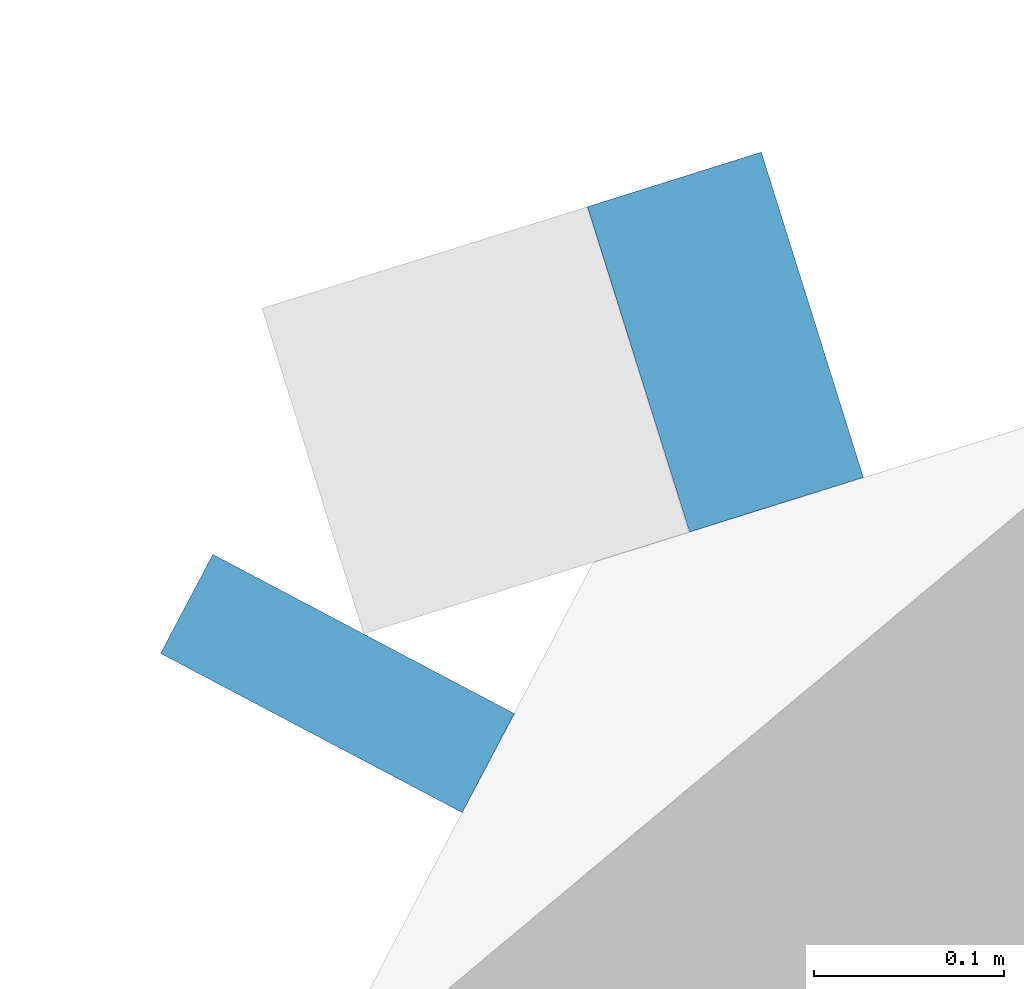
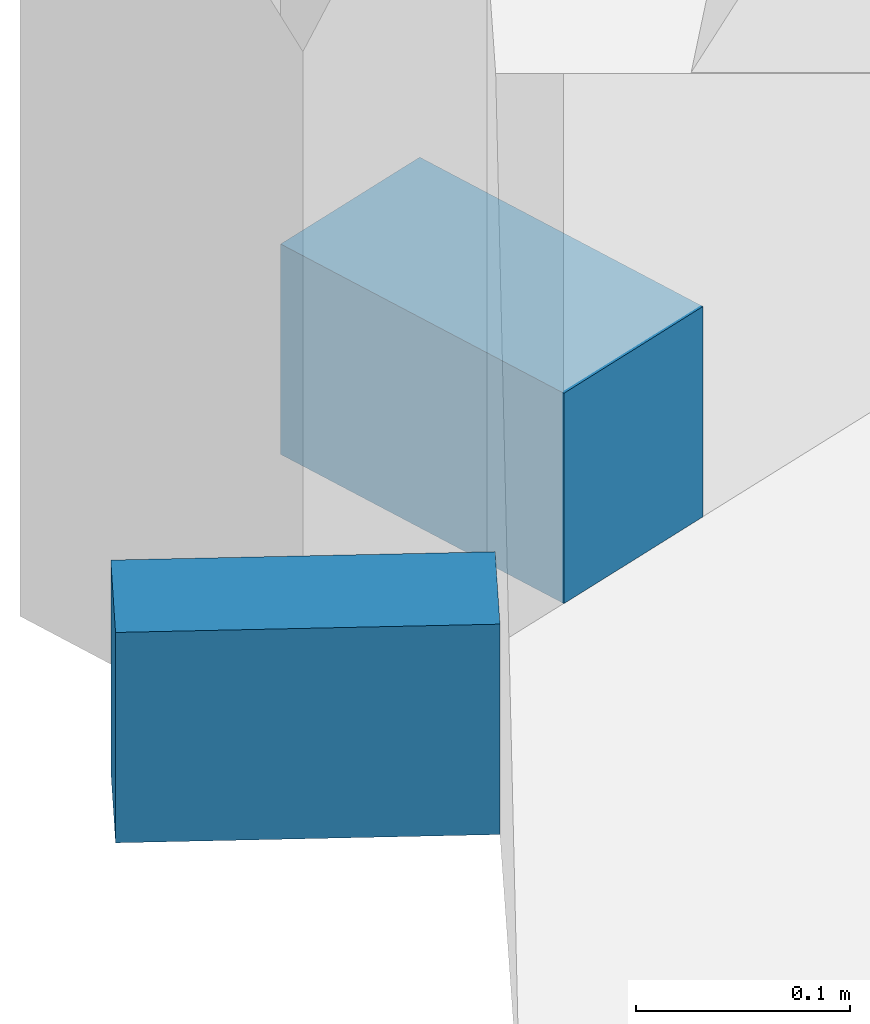
# One storey, part 16 of 24: 2 members, 2 elements without a shape of their own.
"""IFC4 building model written with IfcOpenShell, lengths in metres."""

from ifc_helpers import new_model, si_unit, direction, frame, origin, origin_2d, place, context, subcontext, project, spatial, rectangle, extrude, material, material_profile, profile_set, type_object, element, aggregate, save


model = new_model("IFC4")

# Units and contexts
model_context = context("Model", 3, precision=1e-05, world=origin(), true_north=direction((0.0, 1.0)))
body_context = subcontext(model_context, "Body", "Model", "MODEL_VIEW")
ifc_project = project(units=[si_unit("LENGTHUNIT", "METRE"), si_unit("AREAUNIT", "SQUARE_METRE"), si_unit("VOLUMEUNIT", "CUBIC_METRE"), si_unit("PLANEANGLEUNIT", "RADIAN"), si_unit("MASSUNIT", "GRAM", prefix="KILO")], contexts=[model_context])

# Site, building, storey
site_placement = place(None, origin())
site = spatial("IfcSite", under=ifc_project, at=site_placement, CompositionType="ELEMENT")
building_placement = place(site_placement, origin())
building = spatial("IfcBuilding", under=site, at=building_placement, Name="Orlundy Tower", CompositionType="ELEMENT")
storey_placement = place(building_placement, frame((0.0, 0.0, 267.5)))
storey = spatial("IfcBuildingStorey", under=building, at=storey_placement, Name="L71", CompositionType="ELEMENT", Elevation=267.5)

# Curtain wall, member
ifc_material_1 = material(Name="Aluminium bronze anodised", Category="aluminium")
curtain_wall_type = type_object("IfcCurtainWallType", Name="CW1 wall", PredefinedType="NOTDEFINED", material=ifc_material_1)
curtain_wall_1_placement = place(storey_placement, origin())
curtain_wall_1 = element("IfcCurtainWall", 1, at=curtain_wall_1_placement, inside=storey, type_object=curtain_wall_type, Name="CW1 run 02", PredefinedType="NOTDEFINED")
ifc_material_2 = material(Name="Aluminium bronze anodised", Category="aluminium")
ifc_material_profile = material_profile(ifc_material_2, rectangle(XDim=0.179931640625, YDim=0.1201171875, at=origin_2d()), Name="CW1 transom 180x120")
ifc_profile_set = profile_set([ifc_material_profile], Name="Aluminium bronze anodised")
member_type = type_object("IfcMemberType", Name="CW1 transom 180x120", PredefinedType="USERDEFINED", material=ifc_profile_set)
member_1_placement = place(storey_placement, frame((-20.948974609375, 24.8447265625, -0.340087890625), z_axis=(0.466938162214, 0.884289970919, 0.0), x_axis=(-0.884289970919, 0.466938162214, 0.0)))
member_1 = element("IfcMember", 2, at=member_1_placement, type_object=member_type, Name="CW1 transom", ObjectType="TRANSOM", PredefinedType="USERDEFINED", context=body_context, shape_type="SweptSolid", body=[
    extrude(rectangle(XDim=0.179931640625, YDim=0.1201171875, at=origin_2d()), origin(), (0.0, 0.0, 1.0), 0.05908203125),
])
aggregate(curtain_wall_1, [member_1])

curtain_wall_2_placement = place(storey_placement, origin())
curtain_wall_2 = element("IfcCurtainWall", 3, at=curtain_wall_2_placement, inside=storey, type_object=curtain_wall_type, Name="CW1 run 03", PredefinedType="NOTDEFINED")
member_2_placement = place(storey_placement, frame((-20.7763671875, 25.03662109375, -0.340087890625), z_axis=(0.954118061328, 0.299430668183, 0.0), x_axis=(-0.299430668183, 0.954118061328, 0.0)))
member_2 = element("IfcMember", 4, at=member_2_placement, type_object=member_type, Name="CW1 transom", ObjectType="TRANSOM", PredefinedType="USERDEFINED", context=body_context, shape_type="SweptSolid", body=[
    extrude(rectangle(XDim=0.179931640625, YDim=0.1201171875, at=origin_2d()), origin(), (0.0, 0.0, 1.0), 0.09619140625),
])
aggregate(curtain_wall_2, [member_2])

save(model, "model.ifc")
